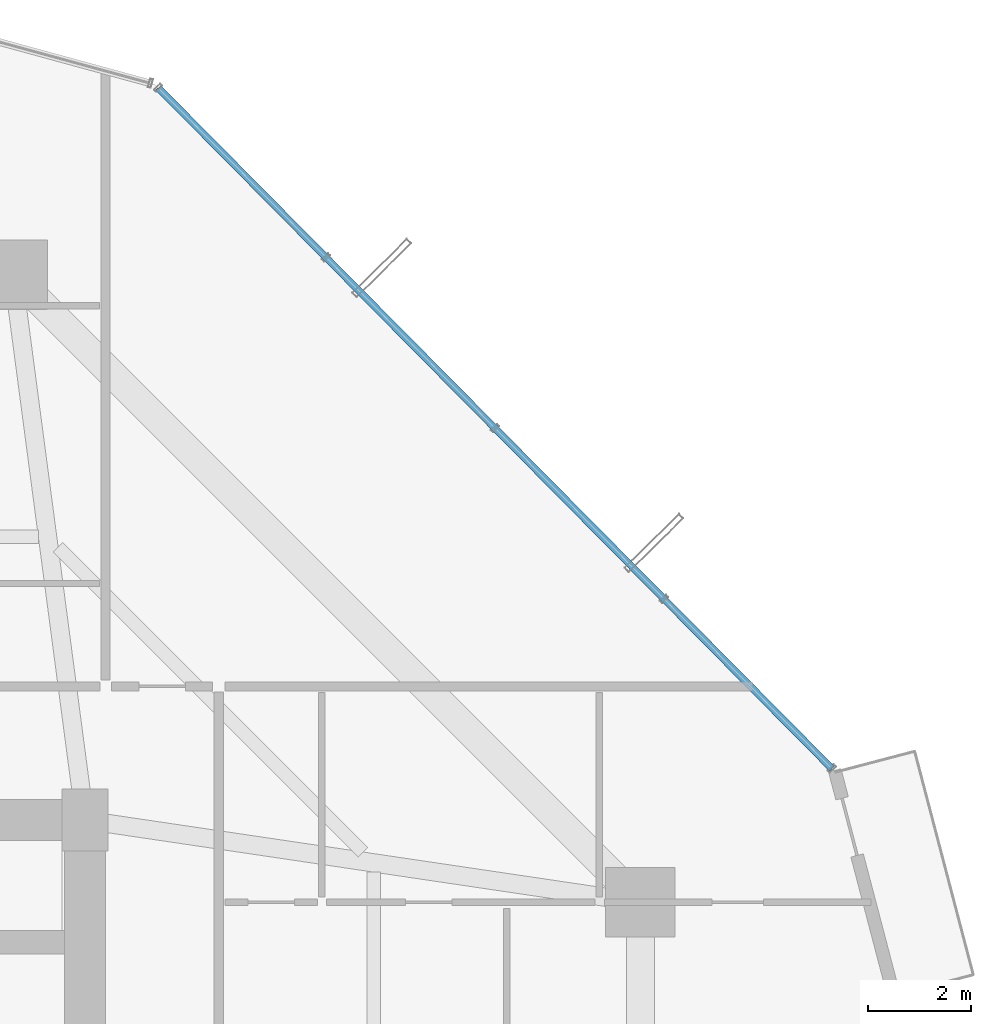
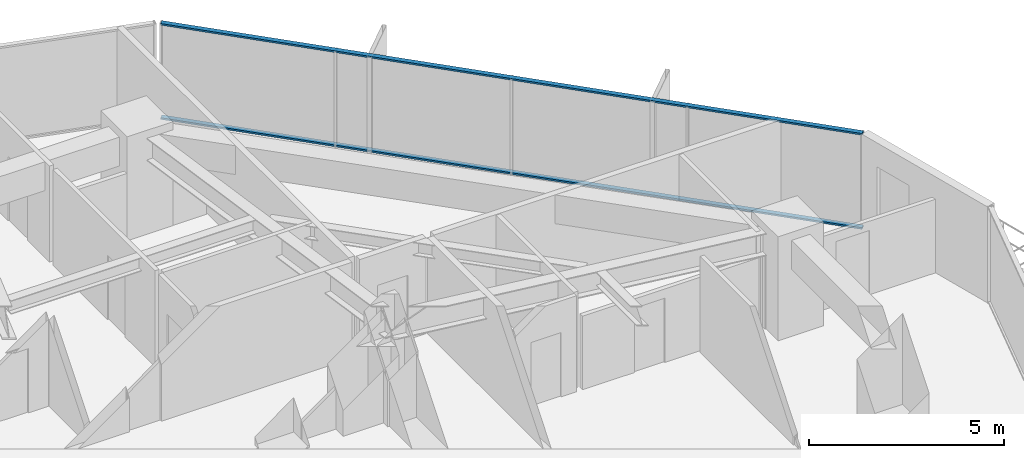
# One storey, part 31 of 39: 2 members, 1 element without a shape of its own.
"""IFC4 building model written with IfcOpenShell, lengths in metres."""

from ifc_helpers import new_model, si_unit, direction, frame, origin, origin_2d, place, context, subcontext, project, spatial, hollow_rectangle, extrude, source, transform, mapped, material, layer, layer_set, material_profile, profile_set, type_object, element, aggregate, save


model = new_model("IFC4")

# Units and contexts
model_context = context("Model", 3, precision=1e-05, world=origin(), true_north=direction((0.0, 1.0)))
body_context = subcontext(model_context, "Body", "Model", "MODEL_VIEW")
ifc_project = project(units=[si_unit("LENGTHUNIT", "METRE"), si_unit("AREAUNIT", "SQUARE_METRE"), si_unit("VOLUMEUNIT", "CUBIC_METRE"), si_unit("PLANEANGLEUNIT", "RADIAN"), si_unit("MASSUNIT", "GRAM", prefix="KILO")], contexts=[model_context])

# Site, building, storey
site_placement = place(None, origin())
site = spatial("IfcSite", under=ifc_project, at=site_placement, CompositionType="ELEMENT")
building_placement = place(site_placement, origin())
building = spatial("IfcBuilding", under=site, at=building_placement, Name="Veraguas Prism Commons", CompositionType="ELEMENT")
storey_placement = place(building_placement, frame((0.0, 0.0, 73.85009765625)))
storey = spatial("IfcBuildingStorey", under=building, at=storey_placement, Name="L20", CompositionType="ELEMENT", Elevation=73.85009765625)

# Curtain wall, members
ifc_material = material(Name="Anodised aluminium EN AW-6063 T6", Category="aluminium")
ifc_layer = layer(ifc_material, 0.169921875, Name="Unitised Flush Curtain Wall Zone 1", Category="aluminium")
ifc_layer_set = layer_set([ifc_layer], Name="Anodised aluminium EN AW-6063 T6")
curtain_wall_type = type_object("IfcCurtainWallType", Name="Unitised Flush Curtain Wall Zone 1", PredefinedType="NOTDEFINED", material=ifc_layer_set)
curtain_wall_placement = place(storey_placement, origin())
curtain_wall = element("IfcCurtainWall", 1, at=curtain_wall_placement, inside=storey, type_object=curtain_wall_type, Name="Tower Facade Curtain Wall L20-F1", PredefinedType="NOTDEFINED")
ifc_material_profile = material_profile(ifc_material, hollow_rectangle(XDim=0.054931640625, YDim=0.135009765625, WallThickness=0.0029296875, at=origin_2d()), Name="AL55X135X3")
ifc_profile_set = profile_set([ifc_material_profile], Name="Anodised aluminium EN AW-6063 T6")
member_type = type_object("IfcMemberType", Name="Curtain Wall Transom Standard AL 55x135x3", PredefinedType="USERDEFINED", material=ifc_profile_set)
shared_shape = source(origin(), body_context, "Body", "SweptSolid", [
    extrude(hollow_rectangle(XDim=0.054931640625, YDim=0.135009765625, WallThickness=0.0029296875, at=origin_2d()), origin(), (0.0, 0.0, 1.0), 18.6240234375),
])
member_1_placement = place(storey_placement, frame((45.32373046875, 32.000732421875, 0.02734375), z_axis=(-0.703393838109, 0.710800329565, 0.0), x_axis=(0.0, 0.0, 1.0)))
member_1 = element("IfcMember", 2, at=member_1_placement, type_object=member_type, Name="CW-Z1 Transom 1", ObjectType="TRANSOM", PredefinedType="USERDEFINED", context=body_context, shape_type="MappedRepresentation", body=[
    mapped(shared_shape, transform((0.0, 0.0, 0.0), scale=1.0)),
])
member_2_placement = place(storey_placement, frame((45.32373046875, 32.000732421875, 2.972412109375), z_axis=(-0.703393838109, 0.710800329565, 0.0), x_axis=(0.0, 0.0, 1.0)))
member_2 = element("IfcMember", 3, at=member_2_placement, type_object=member_type, Name="CW-Z1 Transom 2", ObjectType="TRANSOM", PredefinedType="USERDEFINED", context=body_context, shape_type="MappedRepresentation", body=[
    mapped(shared_shape, transform((0.0, 0.0, 0.0), scale=1.0)),
])
aggregate(curtain_wall, [member_1, member_2])

save(model, "model.ifc")
